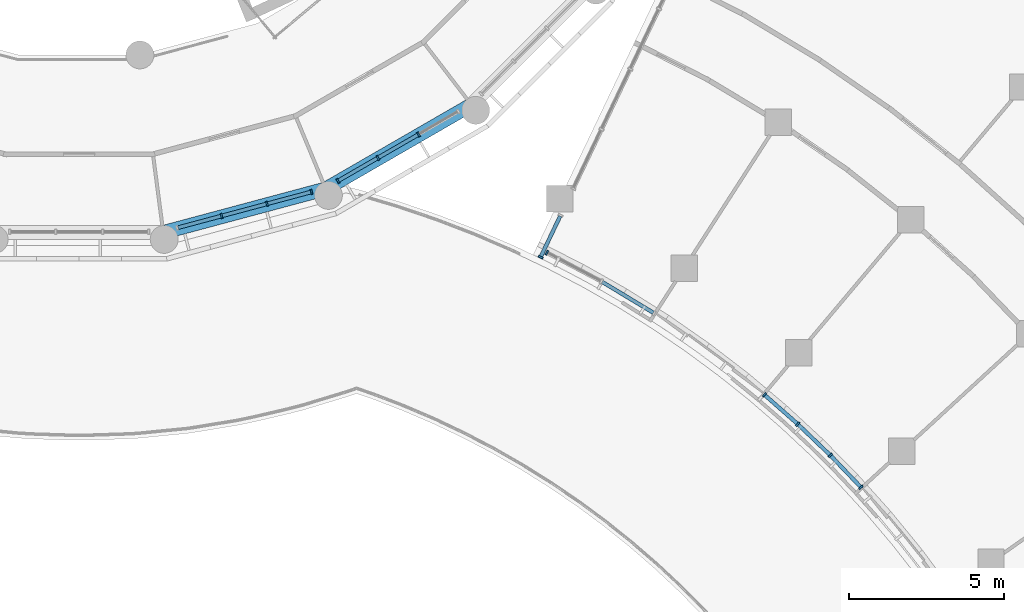
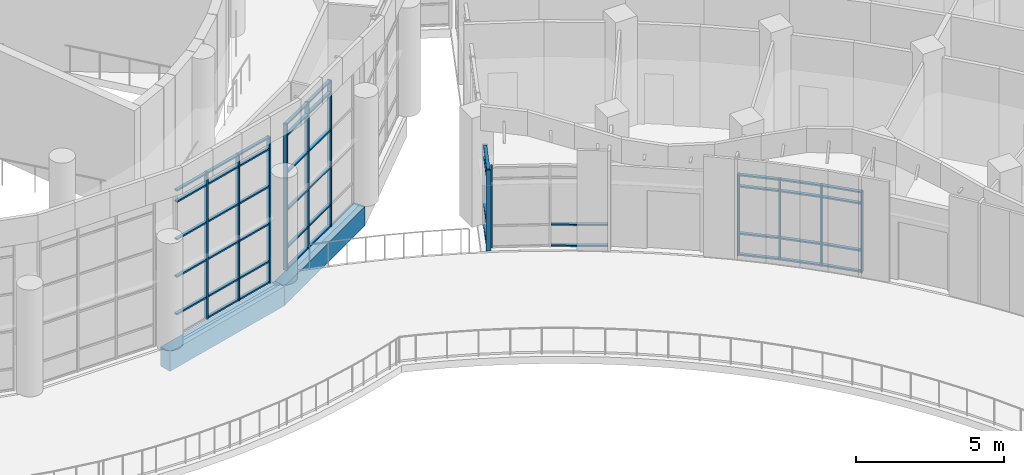
# One storey, part 9 of 136: 59 members, 2 beams, 5 elements without a shape of their own.
"""IFC4 building model written with IfcOpenShell, lengths in metres."""

from ifc_helpers import new_model, si_unit, direction, frame, origin, origin_2d, place, context, subcontext, project, spatial, rectangle, extrude, material, material_profile, profile_set, type_object, element, aggregate, save


model = new_model("IFC4")

# Units and contexts
model_context = context("Model", 3, precision=1e-05, world=origin(), true_north=direction((0.0, 1.0)))
body_context = subcontext(model_context, "Body", "Model", "MODEL_VIEW")
ifc_project = project(units=[si_unit("LENGTHUNIT", "METRE"), si_unit("AREAUNIT", "SQUARE_METRE"), si_unit("VOLUMEUNIT", "CUBIC_METRE"), si_unit("PLANEANGLEUNIT", "RADIAN"), si_unit("MASSUNIT", "GRAM", prefix="KILO")], contexts=[model_context])

# Site, building, storey
site_placement = place(None, origin())
site = spatial("IfcSite", under=ifc_project, at=site_placement, CompositionType="ELEMENT")
building_placement = place(site_placement, origin())
building = spatial("IfcBuilding", under=site, at=building_placement, Name="Bougainvillea Quay General Hospital", CompositionType="ELEMENT")
storey_placement = place(building_placement, frame((0.0, 0.0, 5.39990234375)))
storey = spatial("IfcBuildingStorey", under=building, at=storey_placement, Name="L01", CompositionType="ELEMENT", Elevation=5.39990234375)

# Curtain wall, member
ifc_material_1 = material(Name="Aluminium curtain wall system, powder-coated glazed", Category="aluminium")
curtain_wall_type_1 = type_object("IfcCurtainWallType", Name="Unitised curtain wall CW-1555", PredefinedType="NOTDEFINED", material=ifc_material_1)
curtain_wall_1_placement = place(storey_placement, origin())
curtain_wall_1 = element("IfcCurtainWall", 1, at=curtain_wall_1_placement, inside=storey, type_object=curtain_wall_type_1, Name="CW-AE 01", PredefinedType="NOTDEFINED")
ifc_material_2 = material(Name="Aluminium mullion, powder-coated charcoal", Category="aluminium")
ifc_material_profile_1 = material_profile(ifc_material_2, rectangle(XDim=0.159912109375, YDim=0.06005859375, at=origin_2d()))
ifc_profile_set_1 = profile_set([ifc_material_profile_1], Name="Aluminium mullion, powder-coated charcoal")
member_type_1 = type_object("IfcMemberType", Name="Curtain wall mullion 160x60", PredefinedType="MULLION", material=ifc_profile_set_1)
member_1_placement = place(storey_placement, frame((124.075439453125, 52.607421875, 0.0), z_axis=(0.0, 0.0, 1.0), x_axis=(0.902576055431, -0.430530445105, 0.0)))
member_1 = element("IfcMember", 2, at=member_1_placement, type_object=member_type_1, Name="CW-AE mullion 2", PredefinedType="MULLION", context=body_context, shape_type="SweptSolid", body=[
    extrude(rectangle(XDim=0.159912109375, YDim=0.06005859375, at=origin_2d()), origin(), (0.0, 0.0, 1.0), 3.35009765625),
])

curtain_wall_type_2 = type_object("IfcCurtainWallType", Name="Unitised curtain wall CW-2100", PredefinedType="NOTDEFINED", material=ifc_material_1)
curtain_wall_2_placement = place(storey_placement, origin())
curtain_wall_2 = element("IfcCurtainWall", 3, at=curtain_wall_2_placement, inside=storey, type_object=curtain_wall_type_2, Name="CW-E01 a21b0", PredefinedType="NOTDEFINED")
member_2_placement = place(storey_placement, frame((124.279541015625, 52.750732421875, 0.0), z_axis=(0.0, 0.0, 1.0), x_axis=(0.46572625668, 0.884928841116, 0.0)))
member_2 = element("IfcMember", 4, at=member_2_placement, type_object=member_type_1, Name="CW-E01 mullion 1", PredefinedType="MULLION", context=body_context, shape_type="SweptSolid", body=[
    extrude(rectangle(XDim=0.159912109375, YDim=0.06005859375, at=origin_2d()), origin(), (0.0, 0.0, 1.0), 3.35009765625),
])

# Curtain wall, members
curtain_wall_3_placement = place(storey_placement, origin())
curtain_wall_3 = element("IfcCurtainWall", 5, at=curtain_wall_3_placement, inside=storey, type_object=curtain_wall_type_2, Name="CW-E03 a21b2", PredefinedType="NOTDEFINED")
member_3_placement = place(storey_placement, frame((131.294677734375, 48.16943359375, 0.0), z_axis=(0.0, 0.0, 1.0), x_axis=(0.660560931643, 0.750772439283, 0.0)))
member_3 = element("IfcMember", 6, at=member_3_placement, type_object=member_type_1, Name="CW-E03 mullion 1", PredefinedType="MULLION", context=body_context, shape_type="SweptSolid", body=[
    extrude(rectangle(XDim=0.159912109375, YDim=0.06005859375, at=origin_2d()), origin(), (0.0, 0.0, 1.0), 3.35009765625),
])
member_4_placement = place(storey_placement, frame((132.365966796875, 47.226806640625, 0.0), z_axis=(0.0, 0.0, 1.0), x_axis=(0.676379052625, 0.736553716419, 0.0)))
member_4 = element("IfcMember", 7, at=member_4_placement, type_object=member_type_1, Name="CW-E03 mullion 2", PredefinedType="MULLION", context=body_context, shape_type="SweptSolid", body=[
    extrude(rectangle(XDim=0.159912109375, YDim=0.06005859375, at=origin_2d()), origin(), (0.0, 0.0, 1.0), 3.35009765625),
])
member_5_placement = place(storey_placement, frame((133.417724609375, 46.218994140625, 0.0), z_axis=(0.0, 0.0, 1.0), x_axis=(0.707090325877, 0.707123236113, 0.0)))
member_5 = element("IfcMember", 8, at=member_5_placement, type_object=member_type_1, Name="CW-E03 mullion 3", PredefinedType="MULLION", context=body_context, shape_type="SweptSolid", body=[
    extrude(rectangle(XDim=0.159912109375, YDim=0.06005859375, at=origin_2d()), origin(), (0.0, 0.0, 1.0), 3.35009765625),
])
member_6_placement = place(storey_placement, frame((134.405029296875, 45.188720703125, 0.0), z_axis=(0.0, 0.0, 1.0), x_axis=(0.721969584803, 0.691924792604, 0.0)))
member_6 = element("IfcMember", 9, at=member_6_placement, type_object=member_type_1, Name="CW-E03 mullion 4", PredefinedType="MULLION", context=body_context, shape_type="SweptSolid", body=[
    extrude(rectangle(XDim=0.159912109375, YDim=0.06005859375, at=origin_2d()), origin(), (0.0, 0.0, 1.0), 3.35009765625),
])

curtain_wall_type_3 = type_object("IfcCurtainWallType", Name="Unitised curtain wall CW-1514", PredefinedType="NOTDEFINED", material=ifc_material_1)
curtain_wall_4_placement = place(storey_placement, origin())
curtain_wall_4 = element("IfcCurtainWall", 10, at=curtain_wall_4_placement, inside=storey, type_object=curtain_wall_type_3, Name="CW-D 00", PredefinedType="NOTDEFINED")
member_7_placement = place(storey_placement, frame((113.792724609375, 53.93505859375, 0.0), z_axis=(0.0, 0.0, 1.0), x_axis=(-0.258854621298, 0.965916292974, 0.0)))
member_7 = element("IfcMember", 11, at=member_7_placement, type_object=member_type_1, Name="CW-D mullion 2", PredefinedType="MULLION", context=body_context, shape_type="SweptSolid", body=[
    extrude(rectangle(XDim=0.159912109375, YDim=0.06005859375, at=origin_2d()), origin(), (0.0, 0.0, 1.0), 6.050048828125),
])
member_8_placement = place(storey_placement, frame((115.2548828125, 54.326904296875, 0.0), z_axis=(0.0, 0.0, 1.0), x_axis=(-0.258854621298, 0.965916292974, 0.0)))
member_8 = element("IfcMember", 12, at=member_8_placement, type_object=member_type_1, Name="CW-D mullion 3", PredefinedType="MULLION", context=body_context, shape_type="SweptSolid", body=[
    extrude(rectangle(XDim=0.159912109375, YDim=0.06005859375, at=origin_2d()), origin(), (0.0, 0.0, 1.0), 6.050048828125),
])
member_9_placement = place(storey_placement, frame((116.688232421875, 54.7109375, 0.0), z_axis=(0.0, 0.0, 1.0), x_axis=(-0.258854621298, 0.965916292974, 0.0)))
member_9 = element("IfcMember", 13, at=member_9_placement, type_object=member_type_1, Name="CW-D mullion 4", PredefinedType="MULLION", context=body_context, shape_type="SweptSolid", body=[
    extrude(rectangle(XDim=0.159912109375, YDim=0.06005859375, at=origin_2d()), origin(), (0.0, 0.0, 1.0), 6.050048828125),
])

curtain_wall_type_4 = type_object("IfcCurtainWallType", Name="Unitised curtain wall CW-1515", PredefinedType="NOTDEFINED", material=ifc_material_1)
curtain_wall_5_placement = place(storey_placement, origin())
curtain_wall_5 = element("IfcCurtainWall", 14, at=curtain_wall_5_placement, inside=storey, type_object=curtain_wall_type_4, Name="CW-D 00", PredefinedType="NOTDEFINED")
member_10_placement = place(storey_placement, frame((117.5439453125, 55.0654296875, 0.0), z_axis=(0.0, 0.0, 1.0), x_axis=(-0.499964557262, 0.866045865692, 0.0)))
member_10 = element("IfcMember", 15, at=member_10_placement, type_object=member_type_1, Name="CW-D mullion 1", PredefinedType="MULLION", context=body_context, shape_type="SweptSolid", body=[
    extrude(rectangle(XDim=0.159912109375, YDim=0.06005859375, at=origin_2d()), origin(), (0.0, 0.0, 1.0), 6.050048828125),
])
member_11_placement = place(storey_placement, frame((118.829345703125, 55.8076171875, 0.0), z_axis=(0.0, 0.0, 1.0), x_axis=(-0.499964557262, 0.866045865692, 0.0)))
member_11 = element("IfcMember", 16, at=member_11_placement, type_object=member_type_1, Name="CW-D mullion 2", PredefinedType="MULLION", context=body_context, shape_type="SweptSolid", body=[
    extrude(rectangle(XDim=0.159912109375, YDim=0.06005859375, at=origin_2d()), origin(), (0.0, 0.0, 1.0), 6.050048828125),
])
member_12_placement = place(storey_placement, frame((120.140625, 56.564453125, 0.0), z_axis=(0.0, 0.0, 1.0), x_axis=(-0.499964557262, 0.866045865692, 0.0)))
member_12 = element("IfcMember", 17, at=member_12_placement, type_object=member_type_1, Name="CW-D mullion 3", PredefinedType="MULLION", context=body_context, shape_type="SweptSolid", body=[
    extrude(rectangle(XDim=0.159912109375, YDim=0.06005859375, at=origin_2d()), origin(), (0.0, 0.0, 1.0), 6.050048828125),
])

# Member
ifc_material_3 = material(Name="Aluminium transom, powder-coated charcoal", Category="aluminium")
ifc_material_profile_2 = material_profile(ifc_material_3, rectangle(XDim=0.1201171875, YDim=0.06005859375, at=origin_2d()))
ifc_profile_set_2 = profile_set([ifc_material_profile_2], Name="Aluminium transom, powder-coated charcoal")
member_type_2 = type_object("IfcMemberType", Name="Curtain wall transom 120x60", PredefinedType="USERDEFINED", material=ifc_profile_set_2)
member_13_placement = place(storey_placement, frame((124.706298828125, 53.9296875, 0.030029296875), z_axis=(-0.430600462942, -0.90254265346, 0.0), x_axis=(0.90254265346, -0.430600462942, 0.0)))
member_13 = element("IfcMember", 18, at=member_13_placement, type_object=member_type_2, Name="CW-AE transom 1.1", ObjectType="TRANSOM", PredefinedType="USERDEFINED", context=body_context, shape_type="SweptSolid", body=[
    extrude(rectangle(XDim=0.1201171875, YDim=0.06005859375, at=origin_2d()), origin(), (0.0, 0.0, 1.0), 1.43505859375),
])

member_14_placement = place(storey_placement, frame((124.706298828125, 53.9296875, 0.900146484375), z_axis=(-0.430600462942, -0.90254265346, 0.0), x_axis=(0.90254265346, -0.430600462942, 0.0)))
member_14 = element("IfcMember", 19, at=member_14_placement, type_object=member_type_2, Name="CW-AE transom 1.2", ObjectType="TRANSOM", PredefinedType="USERDEFINED", context=body_context, shape_type="SweptSolid", body=[
    extrude(rectangle(XDim=0.1201171875, YDim=0.06005859375, at=origin_2d()), origin(), (0.0, 0.0, 1.0), 1.43505859375),
])

member_15_placement = place(storey_placement, frame((124.706298828125, 53.9296875, 2.85009765625), z_axis=(-0.430600462942, -0.90254265346, 0.0), x_axis=(0.90254265346, -0.430600462942, 0.0)))
member_15 = element("IfcMember", 20, at=member_15_placement, type_object=member_type_2, Name="CW-AE transom 1.3", ObjectType="TRANSOM", PredefinedType="USERDEFINED", context=body_context, shape_type="SweptSolid", body=[
    extrude(rectangle(XDim=0.1201171875, YDim=0.06005859375, at=origin_2d()), origin(), (0.0, 0.0, 1.0), 1.43505859375),
])

member_16_placement = place(storey_placement, frame((124.706298828125, 53.9296875, 3.320068359375), z_axis=(-0.430600462942, -0.90254265346, 0.0), x_axis=(0.90254265346, -0.430600462942, 0.0)))
member_16 = element("IfcMember", 21, at=member_16_placement, type_object=member_type_2, Name="CW-AE transom 1.4", ObjectType="TRANSOM", PredefinedType="USERDEFINED", context=body_context, shape_type="SweptSolid", body=[
    extrude(rectangle(XDim=0.1201171875, YDim=0.06005859375, at=origin_2d()), origin(), (0.0, 0.0, 1.0), 1.43505859375),
])

aggregate(curtain_wall_1, [member_1, member_13, member_14, member_15, member_16])

member_17_placement = place(storey_placement, frame((126.06103515625, 51.81103515625, 0.030029296875), z_axis=(0.856045378247, -0.516900677483, 0.0), x_axis=(0.516900677483, 0.856045378247, 0.0)))
member_17 = element("IfcMember", 22, at=member_17_placement, type_object=member_type_2, Name="CW-E01 transom 2.1", ObjectType="TRANSOM", PredefinedType="USERDEFINED", context=body_context, shape_type="SweptSolid", body=[
    extrude(rectangle(XDim=0.1201171875, YDim=0.06005859375, at=origin_2d()), origin(), (0.0, 0.0, 1.0), 1.92431640625),
])

member_18_placement = place(storey_placement, frame((126.06103515625, 51.81103515625, 0.900146484375), z_axis=(0.856045378247, -0.516900677483, 0.0), x_axis=(0.516900677483, 0.856045378247, 0.0)))
member_18 = element("IfcMember", 23, at=member_18_placement, type_object=member_type_2, Name="CW-E01 transom 2.2", ObjectType="TRANSOM", PredefinedType="USERDEFINED", context=body_context, shape_type="SweptSolid", body=[
    extrude(rectangle(XDim=0.1201171875, YDim=0.06005859375, at=origin_2d()), origin(), (0.0, 0.0, 1.0), 1.92431640625),
])

aggregate(curtain_wall_2, [member_2, member_17, member_18])

member_19_placement = place(storey_placement, frame((131.317138671875, 48.149658203125, 0.030029296875), z_axis=(0.750848138241, -0.660474884685, 0.0), x_axis=(0.660474884685, 0.750848138241, 0.0)))
member_19 = element("IfcMember", 24, at=member_19_placement, type_object=member_type_2, Name="CW-E03 transom 1.1", ObjectType="TRANSOM", PredefinedType="USERDEFINED", context=body_context, shape_type="SweptSolid", body=[
    extrude(rectangle(XDim=0.1201171875, YDim=0.06005859375, at=origin_2d()), origin(), (0.0, 0.0, 1.0), 1.366943359375),
])

member_20_placement = place(storey_placement, frame((131.317138671875, 48.149658203125, 0.900146484375), z_axis=(0.750848138241, -0.660474884685, 0.0), x_axis=(0.660474884685, 0.750848138241, 0.0)))
member_20 = element("IfcMember", 25, at=member_20_placement, type_object=member_type_2, Name="CW-E03 transom 1.2", ObjectType="TRANSOM", PredefinedType="USERDEFINED", context=body_context, shape_type="SweptSolid", body=[
    extrude(rectangle(XDim=0.1201171875, YDim=0.06005859375, at=origin_2d()), origin(), (0.0, 0.0, 1.0), 1.366943359375),
])

member_21_placement = place(storey_placement, frame((131.317138671875, 48.149658203125, 2.85009765625), z_axis=(0.750848138241, -0.660474884685, 0.0), x_axis=(0.660474884685, 0.750848138241, 0.0)))
member_21 = element("IfcMember", 26, at=member_21_placement, type_object=member_type_2, Name="CW-E03 transom 1.3", ObjectType="TRANSOM", PredefinedType="USERDEFINED", context=body_context, shape_type="SweptSolid", body=[
    extrude(rectangle(XDim=0.1201171875, YDim=0.06005859375, at=origin_2d()), origin(), (0.0, 0.0, 1.0), 1.366943359375),
])

member_22_placement = place(storey_placement, frame((131.317138671875, 48.149658203125, 3.320068359375), z_axis=(0.750848138241, -0.660474884685, 0.0), x_axis=(0.660474884685, 0.750848138241, 0.0)))
member_22 = element("IfcMember", 27, at=member_22_placement, type_object=member_type_2, Name="CW-E03 transom 1.4", ObjectType="TRANSOM", PredefinedType="USERDEFINED", context=body_context, shape_type="SweptSolid", body=[
    extrude(rectangle(XDim=0.1201171875, YDim=0.06005859375, at=origin_2d()), origin(), (0.0, 0.0, 1.0), 1.366943359375),
])

member_23_placement = place(storey_placement, frame((132.3876953125, 47.2060546875, 0.030029296875), z_axis=(0.722064602887, -0.69182563501, 0.0), x_axis=(0.69182563501, 0.722064602887, 0.0)))
member_23 = element("IfcMember", 28, at=member_23_placement, type_object=member_type_2, Name="CW-E03 transom 2.1", ObjectType="TRANSOM", PredefinedType="USERDEFINED", context=body_context, shape_type="SweptSolid", body=[
    extrude(rectangle(XDim=0.1201171875, YDim=0.06005859375, at=origin_2d()), origin(), (0.0, 0.0, 1.0), 1.396728515625),
])

member_24_placement = place(storey_placement, frame((132.3876953125, 47.2060546875, 0.900146484375), z_axis=(0.722064602887, -0.69182563501, 0.0), x_axis=(0.69182563501, 0.722064602887, 0.0)))
member_24 = element("IfcMember", 29, at=member_24_placement, type_object=member_type_2, Name="CW-E03 transom 2.2", ObjectType="TRANSOM", PredefinedType="USERDEFINED", context=body_context, shape_type="SweptSolid", body=[
    extrude(rectangle(XDim=0.1201171875, YDim=0.06005859375, at=origin_2d()), origin(), (0.0, 0.0, 1.0), 1.396728515625),
])

member_25_placement = place(storey_placement, frame((132.3876953125, 47.2060546875, 2.85009765625), z_axis=(0.722064602887, -0.69182563501, 0.0), x_axis=(0.69182563501, 0.722064602887, 0.0)))
member_25 = element("IfcMember", 30, at=member_25_placement, type_object=member_type_2, Name="CW-E03 transom 2.3", ObjectType="TRANSOM", PredefinedType="USERDEFINED", context=body_context, shape_type="SweptSolid", body=[
    extrude(rectangle(XDim=0.1201171875, YDim=0.06005859375, at=origin_2d()), origin(), (0.0, 0.0, 1.0), 1.396728515625),
])

member_26_placement = place(storey_placement, frame((132.3876953125, 47.2060546875, 3.320068359375), z_axis=(0.722064602887, -0.69182563501, 0.0), x_axis=(0.69182563501, 0.722064602887, 0.0)))
member_26 = element("IfcMember", 31, at=member_26_placement, type_object=member_type_2, Name="CW-E03 transom 2.4", ObjectType="TRANSOM", PredefinedType="USERDEFINED", context=body_context, shape_type="SweptSolid", body=[
    extrude(rectangle(XDim=0.1201171875, YDim=0.06005859375, at=origin_2d()), origin(), (0.0, 0.0, 1.0), 1.396728515625),
])

member_27_placement = place(storey_placement, frame((133.4384765625, 46.197265625, 0.030029296875), z_axis=(0.691944155864, -0.721951026847, 0.0), x_axis=(0.721951026847, 0.691944155864, 0.0)))
member_27 = element("IfcMember", 32, at=member_27_placement, type_object=member_type_2, Name="CW-E03 transom 3.1", ObjectType="TRANSOM", PredefinedType="USERDEFINED", context=body_context, shape_type="SweptSolid", body=[
    extrude(rectangle(XDim=0.1201171875, YDim=0.06005859375, at=origin_2d()), origin(), (0.0, 0.0, 1.0), 1.366943359375),
])

member_28_placement = place(storey_placement, frame((133.4384765625, 46.197265625, 0.900146484375), z_axis=(0.691944155864, -0.721951026847, 0.0), x_axis=(0.721951026847, 0.691944155864, 0.0)))
member_28 = element("IfcMember", 33, at=member_28_placement, type_object=member_type_2, Name="CW-E03 transom 3.2", ObjectType="TRANSOM", PredefinedType="USERDEFINED", context=body_context, shape_type="SweptSolid", body=[
    extrude(rectangle(XDim=0.1201171875, YDim=0.06005859375, at=origin_2d()), origin(), (0.0, 0.0, 1.0), 1.366943359375),
])

member_29_placement = place(storey_placement, frame((133.4384765625, 46.197265625, 2.85009765625), z_axis=(0.691944155864, -0.721951026847, 0.0), x_axis=(0.721951026847, 0.691944155864, 0.0)))
member_29 = element("IfcMember", 34, at=member_29_placement, type_object=member_type_2, Name="CW-E03 transom 3.3", ObjectType="TRANSOM", PredefinedType="USERDEFINED", context=body_context, shape_type="SweptSolid", body=[
    extrude(rectangle(XDim=0.1201171875, YDim=0.06005859375, at=origin_2d()), origin(), (0.0, 0.0, 1.0), 1.366943359375),
])

member_30_placement = place(storey_placement, frame((133.4384765625, 46.197265625, 3.320068359375), z_axis=(0.691944155864, -0.721951026847, 0.0), x_axis=(0.721951026847, 0.691944155864, 0.0)))
member_30 = element("IfcMember", 35, at=member_30_placement, type_object=member_type_2, Name="CW-E03 transom 3.4", ObjectType="TRANSOM", PredefinedType="USERDEFINED", context=body_context, shape_type="SweptSolid", body=[
    extrude(rectangle(XDim=0.1201171875, YDim=0.06005859375, at=origin_2d()), origin(), (0.0, 0.0, 1.0), 1.366943359375),
])

aggregate(curtain_wall_3, [member_3, member_4, member_5, member_6, member_19, member_20, member_21, member_22, member_23, member_24, member_25, member_26, member_27, member_28, member_29, member_30])

member_31_placement = place(storey_placement, frame((112.38818359375, 53.55859375, 0.900146484375), z_axis=(0.965909783806, 0.258878909043, 0.0), x_axis=(-0.258878909043, 0.965909783806, 0.0)))
member_31 = element("IfcMember", 36, at=member_31_placement, type_object=member_type_2, Name="CW-D transom 1.2", ObjectType="TRANSOM", PredefinedType="USERDEFINED", context=body_context, shape_type="SweptSolid", body=[
    extrude(rectangle(XDim=0.1201171875, YDim=0.06005859375, at=origin_2d()), origin(), (0.0, 0.0, 1.0), 1.424072265625),
])

member_32_placement = place(storey_placement, frame((112.38818359375, 53.55859375, 2.4501953125), z_axis=(0.965909783806, 0.258878909043, 0.0), x_axis=(-0.258878909043, 0.965909783806, 0.0)))
member_32 = element("IfcMember", 37, at=member_32_placement, type_object=member_type_2, Name="CW-D transom 1.3", ObjectType="TRANSOM", PredefinedType="USERDEFINED", context=body_context, shape_type="SweptSolid", body=[
    extrude(rectangle(XDim=0.1201171875, YDim=0.06005859375, at=origin_2d()), origin(), (0.0, 0.0, 1.0), 1.424072265625),
])

member_33_placement = place(storey_placement, frame((112.38818359375, 53.55859375, 4.0), z_axis=(0.965909783806, 0.258878909043, 0.0), x_axis=(-0.258878909043, 0.965909783806, 0.0)))
member_33 = element("IfcMember", 38, at=member_33_placement, type_object=member_type_2, Name="CW-D transom 1.4", ObjectType="TRANSOM", PredefinedType="USERDEFINED", context=body_context, shape_type="SweptSolid", body=[
    extrude(rectangle(XDim=0.1201171875, YDim=0.06005859375, at=origin_2d()), origin(), (0.0, 0.0, 1.0), 1.424072265625),
])

member_34_placement = place(storey_placement, frame((112.38818359375, 53.55859375, 5.550048828125), z_axis=(0.965909783806, 0.258878909043, 0.0), x_axis=(-0.258878909043, 0.965909783806, 0.0)))
member_34 = element("IfcMember", 39, at=member_34_placement, type_object=member_type_2, Name="CW-D transom 1.5", ObjectType="TRANSOM", PredefinedType="USERDEFINED", context=body_context, shape_type="SweptSolid", body=[
    extrude(rectangle(XDim=0.1201171875, YDim=0.06005859375, at=origin_2d()), origin(), (0.0, 0.0, 1.0), 1.424072265625),
])

member_35_placement = place(storey_placement, frame((112.38818359375, 53.55859375, 6.02001953125), z_axis=(0.965909783806, 0.258878909043, 0.0), x_axis=(-0.258878909043, 0.965909783806, 0.0)))
member_35 = element("IfcMember", 40, at=member_35_placement, type_object=member_type_2, Name="CW-D transom 1.6", ObjectType="TRANSOM", PredefinedType="USERDEFINED", context=body_context, shape_type="SweptSolid", body=[
    extrude(rectangle(XDim=0.1201171875, YDim=0.06005859375, at=origin_2d()), origin(), (0.0, 0.0, 1.0), 1.424072265625),
])

member_36_placement = place(storey_placement, frame((113.821533203125, 53.94287109375, 0.030029296875), z_axis=(0.965947302154, 0.258738882778, 0.0), x_axis=(-0.258738882778, 0.965947302154, 0.0)))
member_36 = element("IfcMember", 41, at=member_36_placement, type_object=member_type_2, Name="CW-D transom 2.1", ObjectType="TRANSOM", PredefinedType="USERDEFINED", context=body_context, shape_type="SweptSolid", body=[
    extrude(rectangle(XDim=0.1201171875, YDim=0.06005859375, at=origin_2d()), origin(), (0.0, 0.0, 1.0), 1.4541015625),
])

member_37_placement = place(storey_placement, frame((113.821533203125, 53.94287109375, 0.900146484375), z_axis=(0.965947302154, 0.258738882778, 0.0), x_axis=(-0.258738882778, 0.965947302154, 0.0)))
member_37 = element("IfcMember", 42, at=member_37_placement, type_object=member_type_2, Name="CW-D transom 2.2", ObjectType="TRANSOM", PredefinedType="USERDEFINED", context=body_context, shape_type="SweptSolid", body=[
    extrude(rectangle(XDim=0.1201171875, YDim=0.06005859375, at=origin_2d()), origin(), (0.0, 0.0, 1.0), 1.4541015625),
])

member_38_placement = place(storey_placement, frame((113.821533203125, 53.94287109375, 2.4501953125), z_axis=(0.965947302154, 0.258738882778, 0.0), x_axis=(-0.258738882778, 0.965947302154, 0.0)))
member_38 = element("IfcMember", 43, at=member_38_placement, type_object=member_type_2, Name="CW-D transom 2.3", ObjectType="TRANSOM", PredefinedType="USERDEFINED", context=body_context, shape_type="SweptSolid", body=[
    extrude(rectangle(XDim=0.1201171875, YDim=0.06005859375, at=origin_2d()), origin(), (0.0, 0.0, 1.0), 1.4541015625),
])

member_39_placement = place(storey_placement, frame((113.821533203125, 53.94287109375, 4.0), z_axis=(0.965947302154, 0.258738882778, 0.0), x_axis=(-0.258738882778, 0.965947302154, 0.0)))
member_39 = element("IfcMember", 44, at=member_39_placement, type_object=member_type_2, Name="CW-D transom 2.4", ObjectType="TRANSOM", PredefinedType="USERDEFINED", context=body_context, shape_type="SweptSolid", body=[
    extrude(rectangle(XDim=0.1201171875, YDim=0.06005859375, at=origin_2d()), origin(), (0.0, 0.0, 1.0), 1.4541015625),
])

member_40_placement = place(storey_placement, frame((113.821533203125, 53.94287109375, 5.550048828125), z_axis=(0.965947302154, 0.258738882778, 0.0), x_axis=(-0.258738882778, 0.965947302154, 0.0)))
member_40 = element("IfcMember", 45, at=member_40_placement, type_object=member_type_2, Name="CW-D transom 2.5", ObjectType="TRANSOM", PredefinedType="USERDEFINED", context=body_context, shape_type="SweptSolid", body=[
    extrude(rectangle(XDim=0.1201171875, YDim=0.06005859375, at=origin_2d()), origin(), (0.0, 0.0, 1.0), 1.4541015625),
])

member_41_placement = place(storey_placement, frame((113.821533203125, 53.94287109375, 6.02001953125), z_axis=(0.965947302154, 0.258738882778, 0.0), x_axis=(-0.258738882778, 0.965947302154, 0.0)))
member_41 = element("IfcMember", 46, at=member_41_placement, type_object=member_type_2, Name="CW-D transom 2.6", ObjectType="TRANSOM", PredefinedType="USERDEFINED", context=body_context, shape_type="SweptSolid", body=[
    extrude(rectangle(XDim=0.1201171875, YDim=0.06005859375, at=origin_2d()), origin(), (0.0, 0.0, 1.0), 1.4541015625),
])

member_42_placement = place(storey_placement, frame((115.283935546875, 54.334716796875, 0.030029296875), z_axis=(0.965909783806, 0.258878909043, 0.0), x_axis=(-0.258878909043, 0.965909783806, 0.0)))
member_42 = element("IfcMember", 47, at=member_42_placement, type_object=member_type_2, Name="CW-D transom 3.1", ObjectType="TRANSOM", PredefinedType="USERDEFINED", context=body_context, shape_type="SweptSolid", body=[
    extrude(rectangle(XDim=0.1201171875, YDim=0.06005859375, at=origin_2d()), origin(), (0.0, 0.0, 1.0), 1.424072265625),
])

member_43_placement = place(storey_placement, frame((115.283935546875, 54.334716796875, 0.900146484375), z_axis=(0.965909783806, 0.258878909043, 0.0), x_axis=(-0.258878909043, 0.965909783806, 0.0)))
member_43 = element("IfcMember", 48, at=member_43_placement, type_object=member_type_2, Name="CW-D transom 3.2", ObjectType="TRANSOM", PredefinedType="USERDEFINED", context=body_context, shape_type="SweptSolid", body=[
    extrude(rectangle(XDim=0.1201171875, YDim=0.06005859375, at=origin_2d()), origin(), (0.0, 0.0, 1.0), 1.424072265625),
])

member_44_placement = place(storey_placement, frame((115.283935546875, 54.334716796875, 2.4501953125), z_axis=(0.965909783806, 0.258878909043, 0.0), x_axis=(-0.258878909043, 0.965909783806, 0.0)))
member_44 = element("IfcMember", 49, at=member_44_placement, type_object=member_type_2, Name="CW-D transom 3.3", ObjectType="TRANSOM", PredefinedType="USERDEFINED", context=body_context, shape_type="SweptSolid", body=[
    extrude(rectangle(XDim=0.1201171875, YDim=0.06005859375, at=origin_2d()), origin(), (0.0, 0.0, 1.0), 1.424072265625),
])

member_45_placement = place(storey_placement, frame((115.283935546875, 54.334716796875, 4.0), z_axis=(0.965909783806, 0.258878909043, 0.0), x_axis=(-0.258878909043, 0.965909783806, 0.0)))
member_45 = element("IfcMember", 50, at=member_45_placement, type_object=member_type_2, Name="CW-D transom 3.4", ObjectType="TRANSOM", PredefinedType="USERDEFINED", context=body_context, shape_type="SweptSolid", body=[
    extrude(rectangle(XDim=0.1201171875, YDim=0.06005859375, at=origin_2d()), origin(), (0.0, 0.0, 1.0), 1.424072265625),
])

member_46_placement = place(storey_placement, frame((115.283935546875, 54.334716796875, 5.550048828125), z_axis=(0.965909783806, 0.258878909043, 0.0), x_axis=(-0.258878909043, 0.965909783806, 0.0)))
member_46 = element("IfcMember", 51, at=member_46_placement, type_object=member_type_2, Name="CW-D transom 3.5", ObjectType="TRANSOM", PredefinedType="USERDEFINED", context=body_context, shape_type="SweptSolid", body=[
    extrude(rectangle(XDim=0.1201171875, YDim=0.06005859375, at=origin_2d()), origin(), (0.0, 0.0, 1.0), 1.424072265625),
])

member_47_placement = place(storey_placement, frame((115.283935546875, 54.334716796875, 6.02001953125), z_axis=(0.965909783806, 0.258878909043, 0.0), x_axis=(-0.258878909043, 0.965909783806, 0.0)))
member_47 = element("IfcMember", 52, at=member_47_placement, type_object=member_type_2, Name="CW-D transom 3.6", ObjectType="TRANSOM", PredefinedType="USERDEFINED", context=body_context, shape_type="SweptSolid", body=[
    extrude(rectangle(XDim=0.1201171875, YDim=0.06005859375, at=origin_2d()), origin(), (0.0, 0.0, 1.0), 1.424072265625),
])

aggregate(curtain_wall_4, [member_7, member_8, member_9, member_31, member_32, member_33, member_34, member_35, member_36, member_37, member_38, member_39, member_40, member_41, member_42, member_43, member_44, member_45, member_46, member_47])

member_48_placement = place(storey_placement, frame((117.570068359375, 55.08056640625, 0.030029296875), z_axis=(0.86608282171, 0.499900536046, 0.0), x_axis=(-0.499900536046, 0.86608282171, 0.0)))
member_48 = element("IfcMember", 53, at=member_48_placement, type_object=member_type_2, Name="CW-D transom 1.1", ObjectType="TRANSOM", PredefinedType="USERDEFINED", context=body_context, shape_type="SweptSolid", body=[
    extrude(rectangle(XDim=0.1201171875, YDim=0.06005859375, at=origin_2d()), origin(), (0.0, 0.0, 1.0), 1.424072265625),
])

member_49_placement = place(storey_placement, frame((117.570068359375, 55.08056640625, 0.900146484375), z_axis=(0.86608282171, 0.499900536046, 0.0), x_axis=(-0.499900536046, 0.86608282171, 0.0)))
member_49 = element("IfcMember", 54, at=member_49_placement, type_object=member_type_2, Name="CW-D transom 1.2", ObjectType="TRANSOM", PredefinedType="USERDEFINED", context=body_context, shape_type="SweptSolid", body=[
    extrude(rectangle(XDim=0.1201171875, YDim=0.06005859375, at=origin_2d()), origin(), (0.0, 0.0, 1.0), 1.424072265625),
])

member_50_placement = place(storey_placement, frame((117.570068359375, 55.08056640625, 2.4501953125), z_axis=(0.86608282171, 0.499900536046, 0.0), x_axis=(-0.499900536046, 0.86608282171, 0.0)))
member_50 = element("IfcMember", 55, at=member_50_placement, type_object=member_type_2, Name="CW-D transom 1.3", ObjectType="TRANSOM", PredefinedType="USERDEFINED", context=body_context, shape_type="SweptSolid", body=[
    extrude(rectangle(XDim=0.1201171875, YDim=0.06005859375, at=origin_2d()), origin(), (0.0, 0.0, 1.0), 1.424072265625),
])

member_51_placement = place(storey_placement, frame((117.570068359375, 55.08056640625, 4.0), z_axis=(0.86608282171, 0.499900536046, 0.0), x_axis=(-0.499900536046, 0.86608282171, 0.0)))
member_51 = element("IfcMember", 56, at=member_51_placement, type_object=member_type_2, Name="CW-D transom 1.4", ObjectType="TRANSOM", PredefinedType="USERDEFINED", context=body_context, shape_type="SweptSolid", body=[
    extrude(rectangle(XDim=0.1201171875, YDim=0.06005859375, at=origin_2d()), origin(), (0.0, 0.0, 1.0), 1.424072265625),
])

member_52_placement = place(storey_placement, frame((117.570068359375, 55.08056640625, 5.550048828125), z_axis=(0.86608282171, 0.499900536046, 0.0), x_axis=(-0.499900536046, 0.86608282171, 0.0)))
member_52 = element("IfcMember", 57, at=member_52_placement, type_object=member_type_2, Name="CW-D transom 1.5", ObjectType="TRANSOM", PredefinedType="USERDEFINED", context=body_context, shape_type="SweptSolid", body=[
    extrude(rectangle(XDim=0.1201171875, YDim=0.06005859375, at=origin_2d()), origin(), (0.0, 0.0, 1.0), 1.424072265625),
])

member_53_placement = place(storey_placement, frame((117.570068359375, 55.08056640625, 6.02001953125), z_axis=(0.86608282171, 0.499900536046, 0.0), x_axis=(-0.499900536046, 0.86608282171, 0.0)))
member_53 = element("IfcMember", 58, at=member_53_placement, type_object=member_type_2, Name="CW-D transom 1.6", ObjectType="TRANSOM", PredefinedType="USERDEFINED", context=body_context, shape_type="SweptSolid", body=[
    extrude(rectangle(XDim=0.1201171875, YDim=0.06005859375, at=origin_2d()), origin(), (0.0, 0.0, 1.0), 1.424072265625),
])

member_54_placement = place(storey_placement, frame((118.855224609375, 55.822509765625, 0.030029296875), z_axis=(0.866065384356, 0.499930745224, 0.0), x_axis=(-0.499930745224, 0.866065384356, 0.0)))
member_54 = element("IfcMember", 59, at=member_54_placement, type_object=member_type_2, Name="CW-D transom 2.1", ObjectType="TRANSOM", PredefinedType="USERDEFINED", context=body_context, shape_type="SweptSolid", body=[
    extrude(rectangle(XDim=0.1201171875, YDim=0.06005859375, at=origin_2d()), origin(), (0.0, 0.0, 1.0), 1.454345703125),
])

member_55_placement = place(storey_placement, frame((118.855224609375, 55.822509765625, 0.900146484375), z_axis=(0.866065384356, 0.499930745224, 0.0), x_axis=(-0.499930745224, 0.866065384356, 0.0)))
member_55 = element("IfcMember", 60, at=member_55_placement, type_object=member_type_2, Name="CW-D transom 2.2", ObjectType="TRANSOM", PredefinedType="USERDEFINED", context=body_context, shape_type="SweptSolid", body=[
    extrude(rectangle(XDim=0.1201171875, YDim=0.06005859375, at=origin_2d()), origin(), (0.0, 0.0, 1.0), 1.454345703125),
])

member_56_placement = place(storey_placement, frame((118.855224609375, 55.822509765625, 2.4501953125), z_axis=(0.866065384356, 0.499930745224, 0.0), x_axis=(-0.499930745224, 0.866065384356, 0.0)))
member_56 = element("IfcMember", 61, at=member_56_placement, type_object=member_type_2, Name="CW-D transom 2.3", ObjectType="TRANSOM", PredefinedType="USERDEFINED", context=body_context, shape_type="SweptSolid", body=[
    extrude(rectangle(XDim=0.1201171875, YDim=0.06005859375, at=origin_2d()), origin(), (0.0, 0.0, 1.0), 1.454345703125),
])

member_57_placement = place(storey_placement, frame((118.855224609375, 55.822509765625, 4.0), z_axis=(0.866065384356, 0.499930745224, 0.0), x_axis=(-0.499930745224, 0.866065384356, 0.0)))
member_57 = element("IfcMember", 62, at=member_57_placement, type_object=member_type_2, Name="CW-D transom 2.4", ObjectType="TRANSOM", PredefinedType="USERDEFINED", context=body_context, shape_type="SweptSolid", body=[
    extrude(rectangle(XDim=0.1201171875, YDim=0.06005859375, at=origin_2d()), origin(), (0.0, 0.0, 1.0), 1.454345703125),
])

member_58_placement = place(storey_placement, frame((118.855224609375, 55.822509765625, 5.550048828125), z_axis=(0.866065384356, 0.499930745224, 0.0), x_axis=(-0.499930745224, 0.866065384356, 0.0)))
member_58 = element("IfcMember", 63, at=member_58_placement, type_object=member_type_2, Name="CW-D transom 2.5", ObjectType="TRANSOM", PredefinedType="USERDEFINED", context=body_context, shape_type="SweptSolid", body=[
    extrude(rectangle(XDim=0.1201171875, YDim=0.06005859375, at=origin_2d()), origin(), (0.0, 0.0, 1.0), 1.454345703125),
])

member_59_placement = place(storey_placement, frame((118.855224609375, 55.822509765625, 6.02001953125), z_axis=(0.866065384356, 0.499930745224, 0.0), x_axis=(-0.499930745224, 0.866065384356, 0.0)))
member_59 = element("IfcMember", 64, at=member_59_placement, type_object=member_type_2, Name="CW-D transom 2.6", ObjectType="TRANSOM", PredefinedType="USERDEFINED", context=body_context, shape_type="SweptSolid", body=[
    extrude(rectangle(XDim=0.1201171875, YDim=0.06005859375, at=origin_2d()), origin(), (0.0, 0.0, 1.0), 1.454345703125),
])

aggregate(curtain_wall_5, [member_10, member_11, member_12, member_48, member_49, member_50, member_51, member_52, member_53, member_54, member_55, member_56, member_57, member_58, member_59])

# Beams
ifc_material_4 = material(Name="Concrete C40", Category="concrete")
ifc_material_profile_3 = material_profile(ifc_material_4, rectangle(XDim=0.449951171875, YDim=0.800048828125, at=origin_2d()))
ifc_profile_set_3 = profile_set([ifc_material_profile_3], Name="Concrete C40")
beam_type = type_object("IfcBeamType", Name="RC BEAM 450x800 C40", PredefinedType="BEAM", material=ifc_profile_set_3)
beam_1_placement = place(storey_placement, frame((111.8828125, 53.397216796875, -0.699951171875), z_axis=(0.965906696194, 0.258890429038, 0.0), x_axis=(-0.258890429038, 0.965906696194, 0.0)))
element("IfcBeam", 65, at=beam_1_placement, inside=storey, type_object=beam_type, Name="Edge beam L01", PredefinedType="BEAM", context=body_context, shape_type="SweptSolid", body=[
    extrude(rectangle(XDim=0.449951171875, YDim=0.800048828125, at=origin_2d()), origin(), (0.0, 0.0, 1.0), 5.48193359375),
])
beam_2_placement = place(storey_placement, frame((117.12353515625, 54.7939453125, -0.699951171875), z_axis=(0.866050625198, 0.499956312685, 0.0), x_axis=(-0.499956312685, 0.866050625198, 0.0)))
element("IfcBeam", 66, at=beam_2_placement, inside=storey, type_object=beam_type, Name="Edge beam L01", PredefinedType="BEAM", context=body_context, shape_type="SweptSolid", body=[
    extrude(rectangle(XDim=0.449951171875, YDim=0.800048828125, at=origin_2d()), origin(), (0.0, 0.0, 1.0), 5.482421875),
])

save(model, "model.ifc")
